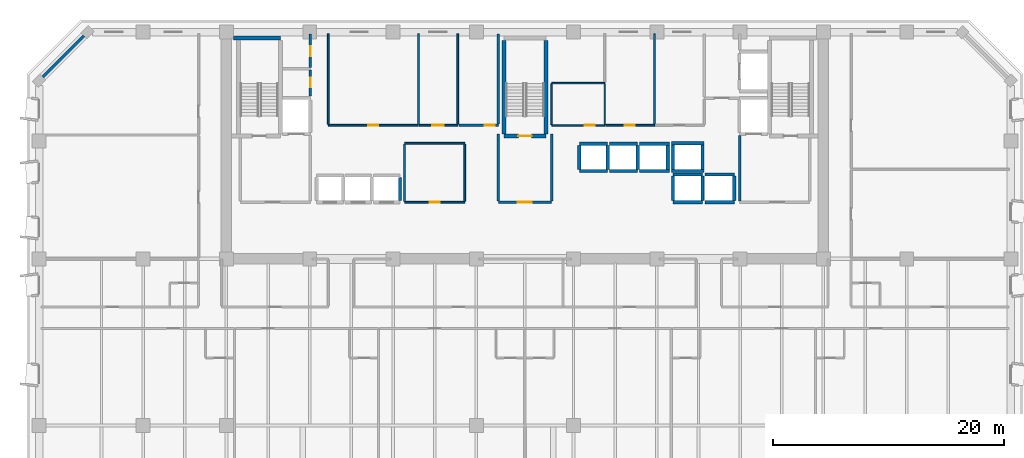
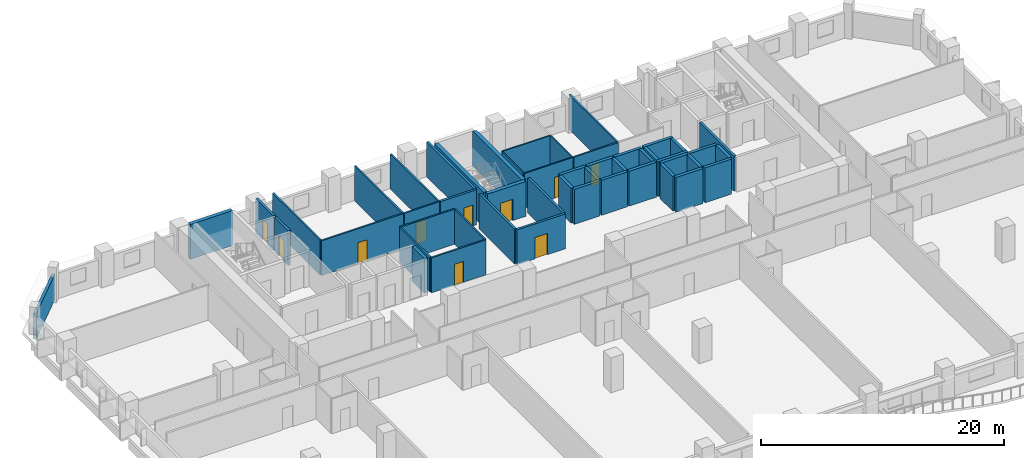
# One storey, part 7 of 15: 50 walls, 10 doors, 10 openings.
"""IFC4 building model written with IfcOpenShell, lengths in metres."""

from ifc_helpers import new_model, si_unit, direction, frame, frame_2d, origin, place, context, subcontext, project, spatial, rectangle, extrude, material, layer, layer_set, type_object, element, fill, save


model = new_model("IFC4")

# Units and contexts
model_context = context("Model", 3, precision=1e-05, world=origin(), true_north=direction((0.0, 1.0)))
body_context = subcontext(model_context, "Body", "Model", "MODEL_VIEW")
ifc_project = project(units=[si_unit("LENGTHUNIT", "METRE"), si_unit("AREAUNIT", "SQUARE_METRE"), si_unit("VOLUMEUNIT", "CUBIC_METRE"), si_unit("PLANEANGLEUNIT", "RADIAN"), si_unit("MASSUNIT", "GRAM", prefix="KILO")], contexts=[model_context])

# Site, building, storey
site_placement = place(None, origin())
site = spatial("IfcSite", under=ifc_project, at=site_placement, CompositionType="ELEMENT")
building_placement = place(site_placement, origin())
building = spatial("IfcBuilding", under=site, at=building_placement, Name="Kaelvorn Grand Hotel", CompositionType="ELEMENT")
storey_placement = place(building_placement, frame((0.0, 0.0, 115.550048828125)))
storey = spatial("IfcBuildingStorey", under=building, at=storey_placement, Name="L27", CompositionType="ELEMENT", Elevation=115.550048828125)

# Wall
ifc_material_1 = material(Name="Concrete C40/50", Category="concrete")
ifc_layer_1 = layer(ifc_material_1, 0.260009765625)
ifc_layer_set_1 = layer_set([ifc_layer_1], Name="Concrete C40/50")
wall_type_1 = type_object("IfcWallType", Name="WL-EXT-260-C40", PredefinedType="SOLIDWALL", material=ifc_layer_set_1)
wall_1_placement = place(storey_placement, frame((4.199951171875, 49.0, 0.0), z_axis=(0.0, 0.0, 1.0), x_axis=(-0.707106781187, -0.707106781187, 0.0)))
element("IfcWall", 1, at=wall_1_placement, inside=storey, type_object=wall_type_1, Name="L27 Exterior Architectural Concrete Wall 06", PredefinedType="SOLIDWALL", context=body_context, shape_type="SweptSolid", body=[
    extrude(rectangle(XDim=5.939697265625, YDim=0.260009765625, at=frame_2d((2.9697265625, 0.0))), origin(), (0.0, 0.0, 1.0), 2.56005859375),
])

# Wall, opening, door
ifc_material_2 = material(Name="Moisture-Resistant Tile & Stud Board")
ifc_layer_2 = layer(ifc_material_2, 0.125)
ifc_layer_set_2 = layer_set([ifc_layer_2], Name="Moisture-Resistant Tile & Stud Board")
wall_type_2 = type_object("IfcWallType", Name="WL-PART-125-WET", PredefinedType="PARTITIONING", material=ifc_layer_set_2)
wall_2_placement = place(storey_placement, frame((44.300048828125, 40.949951171875, 0.0), z_axis=(0.0, 0.0, 1.0), x_axis=(1.0, 0.0, 0.0)))
wall_2 = element("IfcWall", 2, at=wall_2_placement, inside=storey, type_object=wall_type_2, Name="L27 Accessible WC S Partition", PredefinedType="PARTITIONING", context=body_context, shape_type="SweptSolid", body=[
    extrude(rectangle(XDim=4.599853515625, YDim=0.125, at=frame_2d((2.2998046875, 0.0))), origin(), (0.0, 0.0, 1.0), 3.510009765625),
])
opening_1_placement = place(wall_2_placement, frame((2.85009765625, 0.0, 0.0)))
opening_1 = element("IfcOpeningElement", 3, at=opening_1_placement, cuts=wall_2, Name="Opening DI4", PredefinedType="OPENING", context=body_context, shape_type="SweptSolid", body=[
    extrude(rectangle(XDim=0.89990234375, YDim=2.10009765625, at=frame_2d((0.449951171875, 1.050048828125))), frame((0.0, 0.072509765625, 0.0), z_axis=(0.0, -1.0, 0.0), x_axis=(1.0, 0.0, 0.0)), (0.0, 0.0, 1.0), 0.14501953125),
])
ifc_material_3 = material(Name="Timber Veneer Leaf", Category="wood")
door_type_1 = type_object("IfcDoorType", Name="DR-INT-BATH-900x2100", OperationType="NOTDEFINED", PredefinedType="DOOR", material=ifc_material_3)
door_1_placement = place(opening_1_placement, origin())
door_1 = element("IfcDoor", 4, at=door_1_placement, inside=storey, type_object=door_type_1, Name="L27 Accessible WC Door", OperationType="SINGLE_SWING_LEFT", OverallHeight=2.10009765625, OverallWidth=0.89990234375, PredefinedType="DOOR", context=body_context, shape_type="SweptSolid", body=[
    extrude(rectangle(XDim=0.89990234375, YDim=2.10009765625, at=frame_2d((0.449951171875, 1.050048828125))), frame((0.0, 0.02490234375, 0.0), z_axis=(0.0, -1.0, 0.0), x_axis=(1.0, 0.0, 0.0)), (0.0, 0.0, 1.0), 0.050048828125),
])
fill(opening_1, door_1)

# Walls
wall_3_placement = place(storey_placement, frame((44.300048828125, 44.60009765625, 0.0), z_axis=(0.0, 0.0, 1.0), x_axis=(1.0, 0.0, 0.0)))
element("IfcWall", 5, at=wall_3_placement, inside=storey, type_object=wall_type_2, Name="L27 Accessible WC N Partition", PredefinedType="PARTITIONING", context=body_context, shape_type="SweptSolid", body=[
    extrude(rectangle(XDim=4.599853515625, YDim=0.125, at=frame_2d((2.2998046875, 0.0))), origin(), (0.0, 0.0, 1.0), 3.510009765625),
])
for number, where, z_axis, x_axis, name in (
    (6, (44.300048828125, 41.017578125, 0.0), (0.0, 0.0, 1.0), (0.0, 1.0, 0.0), "L27 Accessible WC W Partition"),
    (7, (48.89990234375, 41.017578125, 0.0), (0.0, 0.0, 1.0), (0.0, 1.0, 0.0), "L27 Accessible WC E Partition"),
):
    element("IfcWall", number, at=place(storey_placement, frame(where, z_axis=z_axis, x_axis=x_axis)), inside=storey, type_object=wall_type_2, Name=name, PredefinedType="PARTITIONING", context=body_context, shape_type="SweptSolid", body=[
        extrude(rectangle(XDim=3.514892578125, YDim=0.125, at=frame_2d((1.75732421875, 0.0))), origin(), (0.0, 0.0, 1.0), 3.510009765625),
    ])

# Wall, opening, door
ifc_material_4 = material(Name="Acoustic Gypsum & Stud Partition")
ifc_layer_3 = layer(ifc_material_4, 0.14990234375)
ifc_layer_set_3 = layer_set([ifc_layer_3], Name="Acoustic Gypsum & Stud Partition")
wall_type_3 = type_object("IfcWallType", Name="WL-PART-150-EI60", PredefinedType="PARTITIONING", material=ifc_layer_set_3)
wall_4_placement = place(storey_placement, frame((31.60009765625, 34.300048828125, 0.0), z_axis=(0.0, 0.0, 1.0), x_axis=(1.0, 0.0, 0.0)))
wall_4 = element("IfcWall", 8, at=wall_4_placement, inside=storey, type_object=wall_type_3, Name="L27 Core Telecoms & BMS Server Room S Partition", PredefinedType="PARTITIONING", context=body_context, shape_type="SweptSolid", body=[
    extrude(rectangle(XDim=5.199951171875, YDim=0.14990234375, at=frame_2d((2.60009765625, 0.0))), origin(), (0.0, 0.0, 1.0), 3.510009765625),
])
opening_2_placement = place(wall_4_placement, frame((2.175048828125, 0.0, 0.0)))
opening_2 = element("IfcOpeningElement", 9, at=opening_2_placement, cuts=wall_4, Name="Opening DI7", PredefinedType="OPENING", context=body_context, shape_type="SweptSolid", body=[
    extrude(rectangle(XDim=0.85009765625, YDim=2.10009765625, at=frame_2d((0.425048828125, 1.050048828125))), frame((0.0, 0.0849609375, 0.0), z_axis=(0.0, -1.0, 0.0), x_axis=(1.0, 0.0, 0.0)), (0.0, 0.0, 1.0), 0.169921875),
])
ifc_material_5 = material(Name="Powder-Coated Steel Leaf", Category="steel")
door_type_2 = type_object("IfcDoorType", Name="DR-INT-RISER-850x2100", OperationType="NOTDEFINED", PredefinedType="DOOR", material=ifc_material_5)
door_2_placement = place(opening_2_placement, origin())
door_2 = element("IfcDoor", 10, at=door_2_placement, inside=storey, type_object=door_type_2, Name="L27 Core Telecoms & BMS Server Room Door", OperationType="SINGLE_SWING_LEFT", OverallHeight=2.10009765625, OverallWidth=0.85009765625, PredefinedType="DOOR", context=body_context, shape_type="SweptSolid", body=[
    extrude(rectangle(XDim=0.85009765625, YDim=2.10009765625, at=frame_2d((0.425048828125, 1.050048828125))), frame((0.0, 0.02490234375, 0.0), z_axis=(0.0, -1.0, 0.0), x_axis=(1.0, 0.0, 0.0)), (0.0, 0.0, 1.0), 0.050048828125),
])
fill(opening_2, door_2)

# Walls
wall_5_placement = place(storey_placement, frame((31.60009765625, 39.39990234375, 0.0), z_axis=(0.0, 0.0, 1.0), x_axis=(1.0, 0.0, 0.0)))
element("IfcWall", 11, at=wall_5_placement, inside=storey, type_object=wall_type_3, Name="L27 Core Telecoms & BMS Server Room N Partition", PredefinedType="PARTITIONING", context=body_context, shape_type="SweptSolid", body=[
    extrude(rectangle(XDim=5.199951171875, YDim=0.14990234375, at=frame_2d((2.60009765625, 0.0))), origin(), (0.0, 0.0, 1.0), 3.510009765625),
])
for number, where, z_axis, x_axis, name in (
    (12, (31.60009765625, 34.3798828125, 0.0), (0.0, 0.0, 1.0), (0.0, 1.0, 0.0), "L27 Core Telecoms & BMS Server Room W Partition"),
    (13, (36.800048828125, 34.3798828125, 0.0), (0.0, 0.0, 1.0), (0.0, 1.0, 0.0), "L27 Core Telecoms & BMS Server Room E Partition"),
):
    element("IfcWall", number, at=place(storey_placement, frame(where, z_axis=z_axis, x_axis=x_axis)), inside=storey, type_object=wall_type_3, Name=name, PredefinedType="PARTITIONING", context=body_context, shape_type="SweptSolid", body=[
        extrude(rectangle(XDim=4.940185546875, YDim=0.14990234375, at=frame_2d((2.47021484375, 0.0))), origin(), (0.0, 0.0, 1.0), 3.510009765625),
    ])

# Wall, opening, door
wall_6_placement = place(storey_placement, frame((25.0, 40.949951171875, 0.0), z_axis=(0.0, 0.0, 1.0), x_axis=(1.0, 0.0, 0.0)))
wall_6 = element("IfcWall", 14, at=wall_6_placement, inside=storey, type_object=wall_type_3, Name="L27 Housekeeping & Linen Room S Partition", PredefinedType="PARTITIONING", context=body_context, shape_type="SweptSolid", body=[
    extrude(rectangle(XDim=7.800048828125, YDim=0.14990234375, at=frame_2d((3.89990234375, 0.0))), origin(), (0.0, 0.0, 1.0), 3.510009765625),
])
opening_3_placement = place(wall_6_placement, frame((3.47509765625, 0.0, 0.0)))
opening_3 = element("IfcOpeningElement", 15, at=opening_3_placement, cuts=wall_6, Name="Opening DI7", PredefinedType="OPENING", context=body_context, shape_type="SweptSolid", body=[
    extrude(rectangle(XDim=0.85009765625, YDim=2.10009765625, at=frame_2d((0.425048828125, 1.050048828125))), frame((0.0, 0.0849609375, 0.0), z_axis=(0.0, -1.0, 0.0), x_axis=(1.0, 0.0, 0.0)), (0.0, 0.0, 1.0), 0.169921875),
])
door_3_placement = place(opening_3_placement, origin())
door_3 = element("IfcDoor", 16, at=door_3_placement, inside=storey, type_object=door_type_2, Name="L27 Housekeeping & Linen Room Door", OperationType="SINGLE_SWING_RIGHT", OverallHeight=2.10009765625, OverallWidth=0.85009765625, PredefinedType="DOOR", context=body_context, shape_type="SweptSolid", body=[
    extrude(rectangle(XDim=0.85009765625, YDim=2.10009765625, at=frame_2d((0.425048828125, 1.050048828125))), frame((0.0, 0.02490234375, 0.0), z_axis=(0.0, -1.0, 0.0), x_axis=(1.0, 0.0, 0.0)), (0.0, 0.0, 1.0), 0.050048828125),
])
fill(opening_3, door_3)

# Walls
for number, where, z_axis, x_axis, name in (
    (17, (25.0, 41.030029296875, 0.0), (0.0, 0.0, 1.0), (0.0, 1.0, 0.0), "L27 Housekeeping & Linen Room W Partition"),
    (18, (32.800048828125, 41.030029296875, 0.0), (0.0, 0.0, 1.0), (0.0, 1.0, 0.0), "L27 Housekeeping & Linen Room E Partition"),
):
    element("IfcWall", number, at=place(storey_placement, frame(where, z_axis=z_axis, x_axis=x_axis)), inside=storey, type_object=wall_type_3, Name=name, PredefinedType="PARTITIONING", context=body_context, shape_type="SweptSolid", body=[
        extrude(rectangle(XDim=7.820068359375, YDim=0.14990234375, at=frame_2d((3.91015625, 0.0))), origin(), (0.0, 0.0, 1.0), 3.510009765625),
    ])

# Wall, opening, door
wall_7_placement = place(storey_placement, frame((32.8798828125, 40.949951171875, 0.0), z_axis=(0.0, 0.0, 1.0), x_axis=(1.0, 0.0, 0.0)))
wall_7 = element("IfcWall", 19, at=wall_7_placement, inside=storey, type_object=wall_type_3, Name="L27 Floor Butler Tea Point S Partition", PredefinedType="PARTITIONING", context=body_context, shape_type="SweptSolid", body=[
    extrude(rectangle(XDim=3.320068359375, YDim=0.14990234375, at=frame_2d((1.66015625, 0.0))), origin(), (0.0, 0.0, 1.0), 3.510009765625),
])
opening_4_placement = place(wall_7_placement, frame((1.1201171875, 0.0, 0.0)))
opening_4 = element("IfcOpeningElement", 20, at=opening_4_placement, cuts=wall_7, Name="Opening DI3", PredefinedType="OPENING", context=body_context, shape_type="SweptSolid", body=[
    extrude(rectangle(XDim=1.0, YDim=2.14990234375, at=frame_2d((0.5, 1.074951171875))), frame((0.0, 0.0849609375, 0.0), z_axis=(0.0, -1.0, 0.0), x_axis=(1.0, 0.0, 0.0)), (0.0, 0.0, 1.0), 0.169921875),
])
ifc_material_6 = material(Name="Timber Veneer Fire Leaf", Category="wood")
door_type_3 = type_object("IfcDoorType", Name="DR-INT-GUEST-1000x2150", OperationType="NOTDEFINED", PredefinedType="DOOR", material=ifc_material_6)
door_4_placement = place(opening_4_placement, origin())
door_4 = element("IfcDoor", 21, at=door_4_placement, inside=storey, type_object=door_type_3, Name="L27 Floor Butler Tea Point Door", OperationType="SINGLE_SWING_LEFT", OverallHeight=2.14990234375, OverallWidth=1.0, PredefinedType="DOOR", context=body_context, shape_type="SweptSolid", body=[
    extrude(rectangle(XDim=1.0, YDim=2.14990234375, at=frame_2d((0.5, 1.074951171875))), frame((0.0, 0.02490234375, 0.0), z_axis=(0.0, -1.0, 0.0), x_axis=(1.0, 0.0, 0.0)), (0.0, 0.0, 1.0), 0.050048828125),
])
fill(opening_4, door_4)

# Wall
wall_8_placement = place(storey_placement, frame((36.199951171875, 41.030029296875, 0.0), z_axis=(0.0, 0.0, 1.0), x_axis=(0.0, 1.0, 0.0)))
element("IfcWall", 22, at=wall_8_placement, inside=storey, type_object=wall_type_3, Name="L27 Floor Butler Tea Point E Partition", PredefinedType="PARTITIONING", context=body_context, shape_type="SweptSolid", body=[
    extrude(rectangle(XDim=7.820068359375, YDim=0.14990234375, at=frame_2d((3.91015625, 0.0))), origin(), (0.0, 0.0, 1.0), 3.510009765625),
])

# Wall, opening, door
wall_9_placement = place(storey_placement, frame((48.967529296875, 40.949951171875, 0.0), z_axis=(0.0, 0.0, 1.0), x_axis=(1.0, 0.0, 0.0)))
wall_9 = element("IfcWall", 23, at=wall_9_placement, inside=storey, type_object=wall_type_3, Name="L27 Minibar & Glassware Store S Partition", PredefinedType="PARTITIONING", context=body_context, shape_type="SweptSolid", body=[
    extrude(rectangle(XDim=4.232421875, YDim=0.14990234375, at=frame_2d((2.1162109375, 0.0))), origin(), (0.0, 0.0, 1.0), 3.510009765625),
])
opening_5_placement = place(wall_9_placement, frame((1.657470703125, 0.0, 0.0)))
opening_5 = element("IfcOpeningElement", 24, at=opening_5_placement, cuts=wall_9, Name="Opening DI7", PredefinedType="OPENING", context=body_context, shape_type="SweptSolid", body=[
    extrude(rectangle(XDim=0.85009765625, YDim=2.10009765625, at=frame_2d((0.425048828125, 1.050048828125))), frame((0.0, 0.0849609375, 0.0), z_axis=(0.0, -1.0, 0.0), x_axis=(1.0, 0.0, 0.0)), (0.0, 0.0, 1.0), 0.169921875),
])
door_5_placement = place(opening_5_placement, origin())
door_5 = element("IfcDoor", 25, at=door_5_placement, inside=storey, type_object=door_type_2, Name="L27 Minibar & Glassware Store Door", OperationType="SINGLE_SWING_RIGHT", OverallHeight=2.10009765625, OverallWidth=0.85009765625, PredefinedType="DOOR", context=body_context, shape_type="SweptSolid", body=[
    extrude(rectangle(XDim=0.85009765625, YDim=2.10009765625, at=frame_2d((0.425048828125, 1.050048828125))), frame((0.0, 0.02490234375, 0.0), z_axis=(0.0, -1.0, 0.0), x_axis=(1.0, 0.0, 0.0)), (0.0, 0.0, 1.0), 0.050048828125),
])
fill(opening_5, door_5)

# Walls
wall_10_placement = place(storey_placement, frame((53.199951171875, 41.030029296875, 0.0), z_axis=(0.0, 0.0, 1.0), x_axis=(0.0, 1.0, 0.0)))
element("IfcWall", 26, at=wall_10_placement, inside=storey, type_object=wall_type_3, Name="L27 Minibar & Glassware Store E Partition", PredefinedType="PARTITIONING", context=body_context, shape_type="SweptSolid", body=[
    extrude(rectangle(XDim=7.820068359375, YDim=0.14990234375, at=frame_2d((3.91015625, 0.0))), origin(), (0.0, 0.0, 1.0), 3.510009765625),
])
ifc_layer_4 = layer(ifc_material_1, 0.219970703125)
ifc_layer_set_4 = layer_set([ifc_layer_4], Name="Concrete C40/50")
wall_type_4 = type_object("IfcWallType", Name="WL-PART-220-EI120", PredefinedType="PARTITIONING", material=ifc_layer_set_4)
wall_11_placement = place(storey_placement, frame((60.550048828125, 34.4150390625, 0.0), z_axis=(0.0, 0.0, 1.0), x_axis=(0.0, 1.0, 0.0)))
element("IfcWall", 27, at=wall_11_placement, inside=storey, type_object=wall_type_4, Name="L27 Firefighting Lift Lobby 2 W Partition", PredefinedType="PARTITIONING", context=body_context, shape_type="SweptSolid", body=[
    extrude(rectangle(XDim=5.639892578125, YDim=0.219970703125, at=frame_2d((2.81982421875, 0.0))), origin(), (0.0, 0.0, 1.0), 3.510009765625),
])

# Wall, opening, door
wall_12_placement = place(storey_placement, frame((39.699951171875, 34.300048828125, 0.0), z_axis=(0.0, 0.0, 1.0), x_axis=(1.0, 0.0, 0.0)))
wall_12 = element("IfcWall", 28, at=wall_12_placement, inside=storey, type_object=wall_type_4, Name="L27 Central Stair Escape Vestibule S Partition", PredefinedType="PARTITIONING", context=body_context, shape_type="SweptSolid", body=[
    extrude(rectangle(XDim=4.60009765625, YDim=0.219970703125, at=frame_2d((2.300048828125, 0.0))), origin(), (0.0, 0.0, 1.0), 3.510009765625),
])
opening_6_placement = place(wall_12_placement, frame((1.699951171875, 0.0, 0.0)))
opening_6 = element("IfcOpeningElement", 29, at=opening_6_placement, cuts=wall_12, Name="Opening DI2", PredefinedType="OPENING", context=body_context, shape_type="SweptSolid", body=[
    extrude(rectangle(XDim=1.199951171875, YDim=2.14990234375, at=frame_2d((0.60009765625, 1.074951171875))), frame((0.0, 0.1201171875, 0.0), z_axis=(0.0, -1.0, 0.0), x_axis=(1.0, 0.0, 0.0)), (0.0, 0.0, 1.0), 0.239990234375),
])
door_type_4 = type_object("IfcDoorType", Name="DR-INT-FFLOB-1200x2150", OperationType="NOTDEFINED", PredefinedType="DOOR", material=ifc_material_6)
door_6_placement = place(opening_6_placement, origin())
door_6 = element("IfcDoor", 30, at=door_6_placement, inside=storey, type_object=door_type_4, Name="L27 Central Stair Escape Vestibule Door", OperationType="SINGLE_SWING_LEFT", OverallHeight=2.14990234375, OverallWidth=1.199951171875, PredefinedType="DOOR", context=body_context, shape_type="SweptSolid", body=[
    extrude(rectangle(XDim=1.199951171875, YDim=2.14990234375, at=frame_2d((0.60009765625, 1.074951171875))), frame((0.0, 0.02490234375, 0.0), z_axis=(0.0, -1.0, 0.0), x_axis=(1.0, 0.0, 0.0)), (0.0, 0.0, 1.0), 0.050048828125),
])
fill(opening_6, door_6)

# Walls
for number, where, z_axis, x_axis, name in (
    (31, (39.699951171875, 34.4150390625, 0.0), (0.0, 0.0, 1.0), (0.0, 1.0, 0.0), "L27 Central Stair Escape Vestibule W Partition"),
    (32, (44.300048828125, 34.4150390625, 0.0), (0.0, 0.0, 1.0), (0.0, 1.0, 0.0), "L27 Central Stair Escape Vestibule E Partition"),
):
    element("IfcWall", number, at=place(storey_placement, frame(where, z_axis=z_axis, x_axis=x_axis)), inside=storey, type_object=wall_type_4, Name=name, PredefinedType="PARTITIONING", context=body_context, shape_type="SweptSolid", body=[
        extrude(rectangle(XDim=5.784912109375, YDim=0.219970703125, at=frame_2d((2.892578125, 0.0))), origin(), (0.0, 0.0, 1.0), 3.510009765625),
    ])

# Wall, opening, door
wall_13_placement = place(storey_placement, frame((23.449951171875, 43.5, 0.0), z_axis=(0.0, 0.0, 1.0), x_axis=(0.0, 1.0, 0.0)))
wall_13 = element("IfcWall", 33, at=wall_13_placement, inside=storey, type_object=wall_type_4, Name="L27 Wet Fire & Plumbing Riser Shaft E Partition", PredefinedType="PARTITIONING", context=body_context, shape_type="SweptSolid", body=[
    extrude(rectangle(XDim=2.235107421875, YDim=0.219970703125, at=frame_2d((1.11767578125, 0.0))), origin(), (0.0, 0.0, 1.0), 3.510009765625),
])
opening_7_placement = place(wall_13_placement, frame((0.72509765625, 0.0, 0.0)))
opening_7 = element("IfcOpeningElement", 34, at=opening_7_placement, cuts=wall_13, Name="Opening DI7", PredefinedType="OPENING", context=body_context, shape_type="SweptSolid", body=[
    extrude(rectangle(XDim=0.85009765625, YDim=2.10009765625, at=frame_2d((0.425048828125, 1.050048828125))), frame((0.0, 0.1201171875, 0.0), z_axis=(0.0, -1.0, 0.0), x_axis=(1.0, 0.0, 0.0)), (0.0, 0.0, 1.0), 0.239990234375),
])
door_7_placement = place(opening_7_placement, origin())
door_7 = element("IfcDoor", 35, at=door_7_placement, inside=storey, type_object=door_type_2, Name="L27 Wet Fire & Plumbing Riser Shaft Door", OperationType="SINGLE_SWING_LEFT", OverallHeight=2.10009765625, OverallWidth=0.85009765625, PredefinedType="DOOR", context=body_context, shape_type="SweptSolid", body=[
    extrude(rectangle(XDim=0.85009765625, YDim=2.10009765625, at=frame_2d((0.425048828125, 1.050048828125))), frame((0.0, 0.02490234375, 0.0), z_axis=(0.0, -1.0, 0.0), x_axis=(1.0, 0.0, 0.0)), (0.0, 0.0, 1.0), 0.050048828125),
])
fill(opening_7, door_7)

wall_14_placement = place(storey_placement, frame((23.449951171875, 45.965087890625, 0.0), z_axis=(0.0, 0.0, 1.0), x_axis=(0.0, 1.0, 0.0)))
wall_14 = element("IfcWall", 36, at=wall_14_placement, inside=storey, type_object=wall_type_4, Name="L27 HV Electrical & Smoke Riser E Partition", PredefinedType="PARTITIONING", context=body_context, shape_type="SweptSolid", body=[
    extrude(rectangle(XDim=2.885009765625, YDim=0.219970703125, at=frame_2d((1.4423828125, 0.0))), origin(), (0.0, 0.0, 1.0), 3.510009765625),
])
opening_8_placement = place(wall_14_placement, frame((0.9599609375, 0.0, 0.0)))
opening_8 = element("IfcOpeningElement", 37, at=opening_8_placement, cuts=wall_14, Name="Opening DI7", PredefinedType="OPENING", context=body_context, shape_type="SweptSolid", body=[
    extrude(rectangle(XDim=0.85009765625, YDim=2.10009765625, at=frame_2d((0.425048828125, 1.050048828125))), frame((0.0, 0.1201171875, 0.0), z_axis=(0.0, -1.0, 0.0), x_axis=(1.0, 0.0, 0.0)), (0.0, 0.0, 1.0), 0.239990234375),
])
door_8_placement = place(opening_8_placement, origin())
door_8 = element("IfcDoor", 38, at=door_8_placement, inside=storey, type_object=door_type_2, Name="L27 HV Electrical & Smoke Riser Door", OperationType="SINGLE_SWING_RIGHT", OverallHeight=2.10009765625, OverallWidth=0.85009765625, PredefinedType="DOOR", context=body_context, shape_type="SweptSolid", body=[
    extrude(rectangle(XDim=0.85009765625, YDim=2.10009765625, at=frame_2d((0.425048828125, 1.050048828125))), frame((0.0, 0.02490234375, 0.0), z_axis=(0.0, -1.0, 0.0), x_axis=(1.0, 0.0, 0.0)), (0.0, 0.0, 1.0), 0.050048828125),
])
fill(opening_8, door_8)

wall_15_placement = place(storey_placement, frame((36.280029296875, 40.949951171875, 0.0), z_axis=(0.0, 0.0, 1.0), x_axis=(1.0, 0.0, 0.0)))
wall_15 = element("IfcWall", 39, at=wall_15_placement, inside=storey, type_object=wall_type_4, Name="L27 LV Electrical & Metering Room S Partition", PredefinedType="PARTITIONING", context=body_context, shape_type="SweptSolid", body=[
    extrude(rectangle(XDim=3.419921875, YDim=0.219970703125, at=frame_2d((1.7099609375, 0.0))), origin(), (0.0, 0.0, 1.0), 3.510009765625),
])
opening_9_placement = place(wall_15_placement, frame((2.2451171875, 0.0, 0.0)))
opening_9 = element("IfcOpeningElement", 40, at=opening_9_placement, cuts=wall_15, Name="Opening DI7", PredefinedType="OPENING", context=body_context, shape_type="SweptSolid", body=[
    extrude(rectangle(XDim=0.85009765625, YDim=2.10009765625, at=frame_2d((0.425048828125, 1.050048828125))), frame((0.0, 0.1201171875, 0.0), z_axis=(0.0, -1.0, 0.0), x_axis=(1.0, 0.0, 0.0)), (0.0, 0.0, 1.0), 0.239990234375),
])
door_9_placement = place(opening_9_placement, origin())
door_9 = element("IfcDoor", 41, at=door_9_placement, inside=storey, type_object=door_type_2, Name="L27 LV Electrical & Metering Room Door", OperationType="SINGLE_SWING_RIGHT", OverallHeight=2.10009765625, OverallWidth=0.85009765625, PredefinedType="DOOR", context=body_context, shape_type="SweptSolid", body=[
    extrude(rectangle(XDim=0.85009765625, YDim=2.10009765625, at=frame_2d((0.425048828125, 1.050048828125))), frame((0.0, 0.02490234375, 0.0), z_axis=(0.0, -1.0, 0.0), x_axis=(1.0, 0.0, 0.0)), (0.0, 0.0, 1.0), 0.050048828125),
])
fill(opening_9, door_9)

# Walls
wall_16_placement = place(storey_placement, frame((39.699951171875, 41.06494140625, 0.0), z_axis=(0.0, 0.0, 1.0), x_axis=(0.0, 1.0, 0.0)))
element("IfcWall", 42, at=wall_16_placement, inside=storey, type_object=wall_type_4, Name="L27 LV Electrical & Metering Room E Partition", PredefinedType="PARTITIONING", context=body_context, shape_type="SweptSolid", body=[
    extrude(rectangle(XDim=7.78515625, YDim=0.219970703125, at=frame_2d((3.892578125, 0.0))), origin(), (0.0, 0.0, 1.0), 3.510009765625),
])
ifc_material_7 = material(Name="Concrete C50/60", Category="concrete")
ifc_layer_5 = layer(ifc_material_7, 0.280029296875)
ifc_layer_set_5 = layer_set([ifc_layer_5], Name="Concrete C50/60")
wall_type_5 = type_object("IfcWallType", Name="WL-SHAFT-280-C50", PredefinedType="SHEAR", material=ifc_layer_set_5)
wall_17_placement = place(storey_placement, frame((31.199951171875, 34.445068359375, 0.0), z_axis=(0.0, 0.0, 1.0), x_axis=(0.0, 1.0, 0.0)))
element("IfcWall", 43, at=wall_17_placement, inside=storey, type_object=wall_type_5, Name="L27 Lift PL-L3 Shaft East Wall", PredefinedType="SHEAR", context=body_context, shape_type="SweptSolid", body=[
    extrude(rectangle(XDim=2.010009765625, YDim=0.280029296875, at=frame_2d((1.0048828125, 0.0))), origin(), (0.0, 0.0, 1.0), 3.510009765625),
])
for number, where, z_axis, x_axis, name in (
    (44, (46.699951171875, 37.0, 0.0), (0.0, 0.0, 1.0), (1.0, 0.0, 0.0), "L27 Lift SL-1 Shaft South Wall"),
    (45, (46.699951171875, 39.35009765625, 0.0), (0.0, 0.0, 1.0), (1.0, 0.0, 0.0), "L27 Lift SL-1 Shaft North Wall"),
):
    element("IfcWall", number, at=place(storey_placement, frame(where, z_axis=z_axis, x_axis=x_axis)), inside=storey, type_object=wall_type_5, Name=name, PredefinedType="SHEAR", context=body_context, shape_type="SweptSolid", body=[
        extrude(rectangle(XDim=2.449951171875, YDim=0.280029296875, at=frame_2d((1.22509765625, 0.0))), origin(), (0.0, 0.0, 1.0), 3.510009765625),
    ])
for number, where, z_axis, x_axis, name in (
    (46, (46.699951171875, 37.14501953125, 0.0), (0.0, 0.0, 1.0), (0.0, 1.0, 0.0), "L27 Lift SL-1 Shaft West Wall"),
    (47, (49.14990234375, 37.14501953125, 0.0), (0.0, 0.0, 1.0), (0.0, 1.0, 0.0), "L27 Lift SL-1 Shaft East Wall"),
):
    element("IfcWall", number, at=place(storey_placement, frame(where, z_axis=z_axis, x_axis=x_axis)), inside=storey, type_object=wall_type_5, Name=name, PredefinedType="SHEAR", context=body_context, shape_type="SweptSolid", body=[
        extrude(rectangle(XDim=2.06005859375, YDim=0.280029296875, at=frame_2d((1.030029296875, 0.0))), origin(), (0.0, 0.0, 1.0), 3.510009765625),
    ])
for number, where, z_axis, x_axis, name in (
    (48, (49.300048828125, 37.0, 0.0), (0.0, 0.0, 1.0), (1.0, 0.0, 0.0), "L27 Lift SL-2 Shaft South Wall"),
    (49, (49.300048828125, 39.35009765625, 0.0), (0.0, 0.0, 1.0), (1.0, 0.0, 0.0), "L27 Lift SL-2 Shaft North Wall"),
):
    element("IfcWall", number, at=place(storey_placement, frame(where, z_axis=z_axis, x_axis=x_axis)), inside=storey, type_object=wall_type_5, Name=name, PredefinedType="SHEAR", context=body_context, shape_type="SweptSolid", body=[
        extrude(rectangle(XDim=2.449951171875, YDim=0.280029296875, at=frame_2d((1.22509765625, 0.0))), origin(), (0.0, 0.0, 1.0), 3.510009765625),
    ])
wall_18_placement = place(storey_placement, frame((51.75, 37.14501953125, 0.0), z_axis=(0.0, 0.0, 1.0), x_axis=(0.0, 1.0, 0.0)))
element("IfcWall", 50, at=wall_18_placement, inside=storey, type_object=wall_type_5, Name="L27 Lift SL-2 Shaft East Wall", PredefinedType="SHEAR", context=body_context, shape_type="SweptSolid", body=[
    extrude(rectangle(XDim=2.06005859375, YDim=0.280029296875, at=frame_2d((1.030029296875, 0.0))), origin(), (0.0, 0.0, 1.0), 3.510009765625),
])
for number, where, z_axis, x_axis, name in (
    (51, (51.89990234375, 37.0, 0.0), (0.0, 0.0, 1.0), (1.0, 0.0, 0.0), "L27 Lift SL-3 Shaft South Wall"),
    (52, (51.89990234375, 39.35009765625, 0.0), (0.0, 0.0, 1.0), (1.0, 0.0, 0.0), "L27 Lift SL-3 Shaft North Wall"),
):
    element("IfcWall", number, at=place(storey_placement, frame(where, z_axis=z_axis, x_axis=x_axis)), inside=storey, type_object=wall_type_5, Name=name, PredefinedType="SHEAR", context=body_context, shape_type="SweptSolid", body=[
        extrude(rectangle(XDim=2.590087890625, YDim=0.280029296875, at=frame_2d((1.294921875, 0.0))), origin(), (0.0, 0.0, 1.0), 3.510009765625),
    ])
wall_19_placement = place(storey_placement, frame((54.35009765625, 37.14501953125, 0.0), z_axis=(0.0, 0.0, 1.0), x_axis=(0.0, 1.0, 0.0)))
element("IfcWall", 53, at=wall_19_placement, inside=storey, type_object=wall_type_5, Name="L27 Lift SL-3 Shaft East Wall", PredefinedType="SHEAR", context=body_context, shape_type="SweptSolid", body=[
    extrude(rectangle(XDim=2.06005859375, YDim=0.280029296875, at=frame_2d((1.030029296875, 0.0))), origin(), (0.0, 0.0, 1.0), 3.510009765625),
])
for number, where, z_axis, x_axis, name in (
    (54, (54.800048828125, 34.300048828125, 0.0), (0.0, 0.0, 1.0), (1.0, 0.0, 0.0), "L27 Lift OL-1 Shaft South Wall"),
    (55, (54.800048828125, 36.699951171875, 0.0), (0.0, 0.0, 1.0), (1.0, 0.0, 0.0), "L27 Lift OL-1 Shaft North Wall"),
):
    element("IfcWall", number, at=place(storey_placement, frame(where, z_axis=z_axis, x_axis=x_axis)), inside=storey, type_object=wall_type_5, Name=name, PredefinedType="SHEAR", context=body_context, shape_type="SweptSolid", body=[
        extrude(rectangle(XDim=2.550048828125, YDim=0.280029296875, at=frame_2d((1.27490234375, 0.0))), origin(), (0.0, 0.0, 1.0), 3.510009765625),
    ])
for number, where, z_axis, x_axis, name in (
    (56, (54.800048828125, 34.445068359375, 0.0), (0.0, 0.0, 1.0), (0.0, 1.0, 0.0), "L27 Lift OL-1 Shaft West Wall"),
    (57, (57.35009765625, 34.445068359375, 0.0), (0.0, 0.0, 1.0), (0.0, 1.0, 0.0), "L27 Lift OL-1 Shaft East Wall"),
):
    element("IfcWall", number, at=place(storey_placement, frame(where, z_axis=z_axis, x_axis=x_axis)), inside=storey, type_object=wall_type_5, Name=name, PredefinedType="SHEAR", context=body_context, shape_type="SweptSolid", body=[
        extrude(rectangle(XDim=2.10986328125, YDim=0.280029296875, at=frame_2d((1.054931640625, 0.0))), origin(), (0.0, 0.0, 1.0), 3.510009765625),
    ])
for number, where, z_axis, x_axis, name in (
    (58, (57.550048828125, 34.300048828125, 0.0), (0.0, 0.0, 1.0), (1.0, 0.0, 0.0), "L27 Lift OL-2 Shaft South Wall"),
    (59, (57.550048828125, 36.699951171875, 0.0), (0.0, 0.0, 1.0), (1.0, 0.0, 0.0), "L27 Lift OL-2 Shaft North Wall"),
):
    element("IfcWall", number, at=place(storey_placement, frame(where, z_axis=z_axis, x_axis=x_axis)), inside=storey, type_object=wall_type_5, Name=name, PredefinedType="SHEAR", context=body_context, shape_type="SweptSolid", body=[
        extrude(rectangle(XDim=2.550048828125, YDim=0.280029296875, at=frame_2d((1.27490234375, 0.0))), origin(), (0.0, 0.0, 1.0), 3.510009765625),
    ])
wall_20_placement = place(storey_placement, frame((60.10009765625, 34.445068359375, 0.0), z_axis=(0.0, 0.0, 1.0), x_axis=(0.0, 1.0, 0.0)))
element("IfcWall", 60, at=wall_20_placement, inside=storey, type_object=wall_type_5, Name="L27 Lift OL-2 Shaft East Wall", PredefinedType="SHEAR", context=body_context, shape_type="SweptSolid", body=[
    extrude(rectangle(XDim=2.10986328125, YDim=0.280029296875, at=frame_2d((1.054931640625, 0.0))), origin(), (0.0, 0.0, 1.0), 3.510009765625),
])
for number, where, z_axis, x_axis, name in (
    (61, (54.659912109375, 37.0, 0.0), (0.0, 0.0, 1.0), (1.0, 0.0, 0.0), "L27 Lift OL-3 Shaft South Wall"),
    (62, (54.659912109375, 39.39990234375, 0.0), (0.0, 0.0, 1.0), (1.0, 0.0, 0.0), "L27 Lift OL-3 Shaft North Wall"),
):
    element("IfcWall", number, at=place(storey_placement, frame(where, z_axis=z_axis, x_axis=x_axis)), inside=storey, type_object=wall_type_5, Name=name, PredefinedType="SHEAR", context=body_context, shape_type="SweptSolid", body=[
        extrude(rectangle(XDim=2.830078125, YDim=0.280029296875, at=frame_2d((1.4150390625, 0.0))), origin(), (0.0, 0.0, 1.0), 3.510009765625),
    ])
for number, where, z_axis, x_axis, name in (
    (63, (54.800048828125, 37.14501953125, 0.0), (0.0, 0.0, 1.0), (0.0, 1.0, 0.0), "L27 Lift OL-3 Shaft West Wall"),
    (64, (57.35009765625, 37.14501953125, 0.0), (0.0, 0.0, 1.0), (0.0, 1.0, 0.0), "L27 Lift OL-3 Shaft East Wall"),
):
    element("IfcWall", number, at=place(storey_placement, frame(where, z_axis=z_axis, x_axis=x_axis)), inside=storey, type_object=wall_type_5, Name=name, PredefinedType="SHEAR", context=body_context, shape_type="SweptSolid", body=[
        extrude(rectangle(XDim=2.10986328125, YDim=0.280029296875, at=frame_2d((1.054931640625, 0.0))), origin(), (0.0, 0.0, 1.0), 3.510009765625),
    ])
ifc_material_8 = material(Name="Concrete C60/75", Category="concrete")
ifc_layer_6 = layer(ifc_material_8, 0.35009765625)
ifc_layer_set_6 = layer_set([ifc_layer_6], Name="Concrete C60/75")
wall_type_6 = type_object("IfcWallType", Name="WL-SHAFT-350-C60", PredefinedType="SHEAR", material=ifc_layer_set_6)
wall_21_placement = place(storey_placement, frame((16.804931640625, 48.47509765625, 0.0), z_axis=(0.0, 0.0, 1.0), x_axis=(1.0, 0.0, 0.0)))
element("IfcWall", 65, at=wall_21_placement, inside=storey, type_object=wall_type_6, Name="L27 ST1 Stair Shaft North Wall", PredefinedType="SHEAR", context=body_context, shape_type="SweptSolid", body=[
    extrude(rectangle(XDim=4.050048828125, YDim=0.35009765625, at=frame_2d((2.02490234375, 0.0))), origin(), (0.0, 0.0, 1.0), 3.510009765625),
])

# Wall, opening, door
wall_22_placement = place(storey_placement, frame((40.18505859375, 40.02490234375, 0.0), z_axis=(0.0, 0.0, 1.0), x_axis=(1.0, 0.0, 0.0)))
wall_22 = element("IfcWall", 66, at=wall_22_placement, inside=storey, type_object=wall_type_6, Name="L27 ST2 Stair Shaft South Wall", PredefinedType="SHEAR", context=body_context, shape_type="SweptSolid", body=[
    extrude(rectangle(XDim=3.6298828125, YDim=0.35009765625, at=frame_2d((1.81494140625, 0.0))), origin(), (0.0, 0.0, 1.0), 3.510009765625),
])
opening_10_placement = place(wall_22_placement, frame((1.239990234375, 0.0, 0.0)))
opening_10 = element("IfcOpeningElement", 67, at=opening_10_placement, cuts=wall_22, Name="Opening DI1", PredefinedType="OPENING", context=body_context, shape_type="SweptSolid", body=[
    extrude(rectangle(XDim=1.14990234375, YDim=2.14990234375, at=frame_2d((0.574951171875, 1.074951171875))), frame((0.0, 0.18505859375, 0.0), z_axis=(0.0, -1.0, 0.0), x_axis=(1.0, 0.0, 0.0)), (0.0, 0.0, 1.0), 0.3701171875),
])
door_type_5 = type_object("IfcDoorType", Name="DR-INT-STAIR-1150x2150", OperationType="NOTDEFINED", PredefinedType="DOOR", material=ifc_material_6)
door_10_placement = place(opening_10_placement, origin())
door_10 = element("IfcDoor", 68, at=door_10_placement, inside=storey, type_object=door_type_5, Name="L27 ST2 Exit Stair Fire Door", OperationType="SINGLE_SWING_LEFT", OverallHeight=2.14990234375, OverallWidth=1.14990234375, PredefinedType="DOOR", context=body_context, shape_type="SweptSolid", body=[
    extrude(rectangle(XDim=1.14990234375, YDim=2.14990234375, at=frame_2d((0.574951171875, 1.074951171875))), frame((0.0, 0.02490234375, 0.0), z_axis=(0.0, -1.0, 0.0), x_axis=(1.0, 0.0, 0.0)), (0.0, 0.0, 1.0), 0.050048828125),
])
fill(opening_10, door_10)

# Walls
for number, where, z_axis, x_axis, name in (
    (69, (40.18505859375, 40.205078125, 0.0), (0.0, 0.0, 1.0), (0.0, 1.0, 0.0), "L27 ST2 Stair Shaft West Wall"),
    (70, (43.81494140625, 40.205078125, 0.0), (0.0, 0.0, 1.0), (0.0, 1.0, 0.0), "L27 ST2 Stair Shaft East Wall"),
):
    element("IfcWall", number, at=place(storey_placement, frame(where, z_axis=z_axis, x_axis=x_axis)), inside=storey, type_object=wall_type_6, Name=name, PredefinedType="SHEAR", context=body_context, shape_type="SweptSolid", body=[
        extrude(rectangle(XDim=8.08984375, YDim=0.35009765625, at=frame_2d((4.044921875, 0.0))), origin(), (0.0, 0.0, 1.0), 3.510009765625),
    ])

save(model, "model.ifc")
